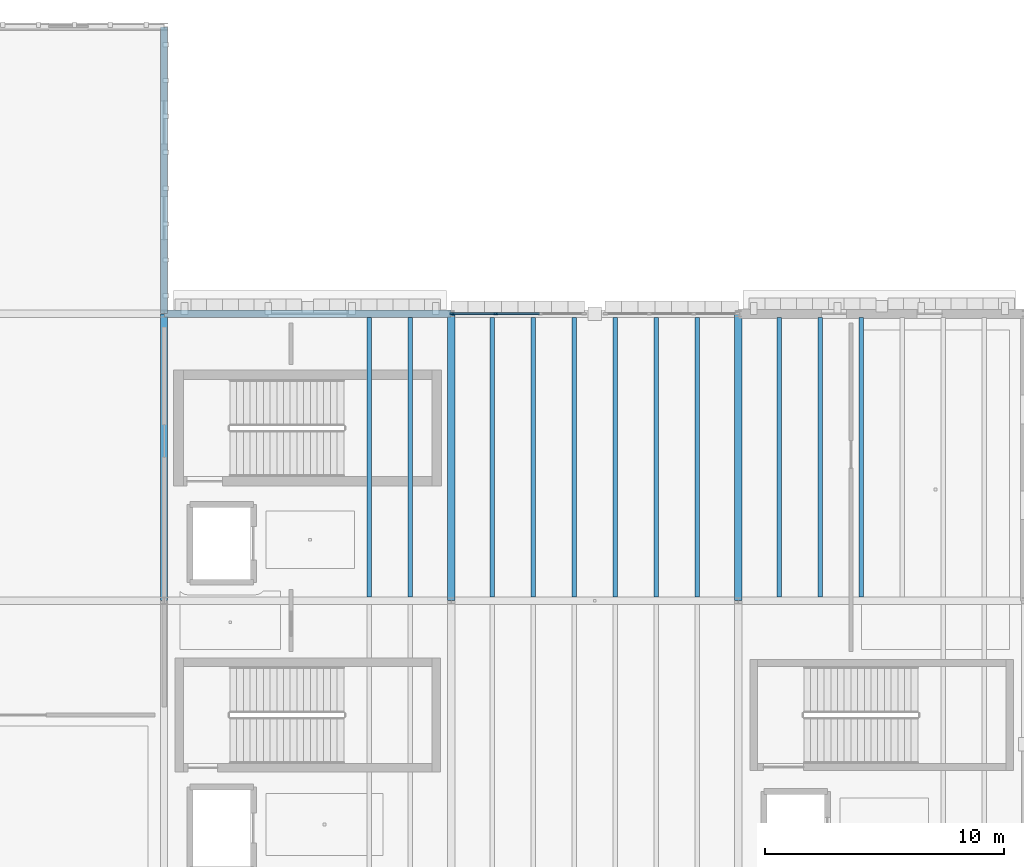
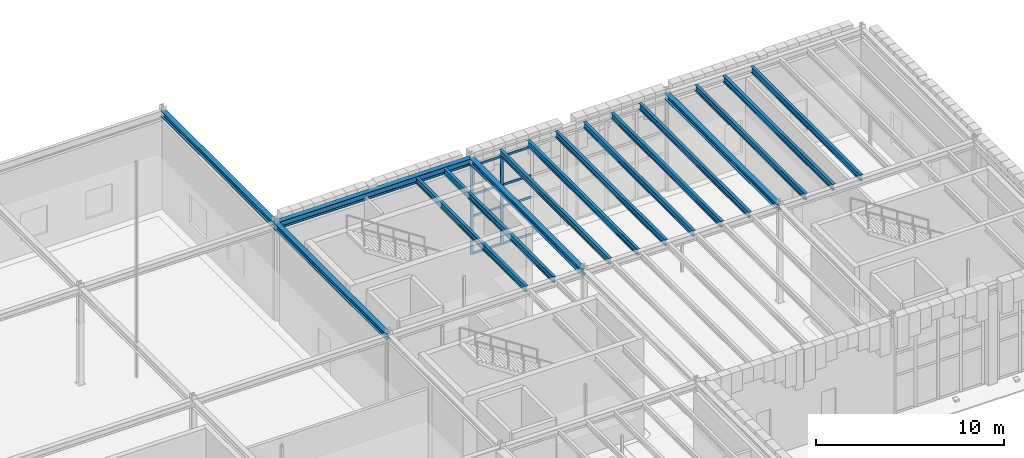
# One storey, part 28 of 62: 16 beams, 10 members, 1 element without a shape of its own.
"""IFC4 building model written with IfcOpenShell, lengths in metres."""

import ifcopenshell
import ifcopenshell.guid

model = None  # the IFC model being written
_history = None  # IfcOwnerHistory: only IFC2X3 demands one
_inside = {}  # id of a spatial element -> (the spatial element, [elements in it])
_under = {}  # id of a project, library or spatial element -> (it, [spatial elements below it])
_declared = {}  # id of a project -> (the project, [libraries it declares])
_typed = {}  # id of a type object -> (the type object, [elements of that type])
_made_of = {}  # id of a material, layer set ... -> (it, [elements and type objects made of it])


def new_model(schema):
    """Start an empty IFC model of exactly this schema.

    Asked for "IFC4X3", IfcOpenShell would pick the latest addendum, in which some entities
    have other attributes; the version numbers below select the first issue.
    IFC2X3 requires an IfcOwnerHistory on every rooted entity: one is made here for all.
    """
    global model, _history
    if schema == "IFC4X3":
        model = ifcopenshell.file(schema_version=(4, 3, 0, 0))
    else:
        model = ifcopenshell.file(schema=schema)
    _inside.clear()
    _under.clear()
    _declared.clear()
    _typed.clear()
    _made_of.clear()
    _history = None
    if model.schema == "IFC2X3":
        org = make("IfcOrganization", Name="unknown")
        user = make(
            "IfcPersonAndOrganization",
            ThePerson=make("IfcPerson", FamilyName="unknown"),
            TheOrganization=org,
        )
        app = make(
            "IfcApplication",
            ApplicationDeveloper=org,
            Version="unknown",
            ApplicationFullName="unknown",
            ApplicationIdentifier="unknown",
        )
        _history = make(
            "IfcOwnerHistory",
            OwningUser=user,
            OwningApplication=app,
            ChangeAction="ADDED",
            CreationDate=0,
        )
    return model


def make(cls, **values):
    """One entity of the class cls with the attributes given. An attribute that is None is left unset."""
    return model.create_entity(
        cls, **{name: value for name, value in values.items() if value is not None}
    )


def rooted(cls, **values):
    """An entity with a GlobalId (a new one), such as an element, a storey or a relation."""
    return make(cls, GlobalId=ifcopenshell.guid.new(), OwnerHistory=_history, **values)


def si_unit(unit_type, name, prefix=None):
    """IfcSIUnit, for example si_unit("LENGTHUNIT", "METRE", prefix="MILLI")."""
    return make("IfcSIUnit", UnitType=unit_type, Prefix=prefix, Name=name)


def assignment(units):
    """IfcUnitAssignment: the units of a project."""
    return None if units is None else make("IfcUnitAssignment", Units=units)


def point(xyz):
    """IfcCartesianPoint."""
    return None if xyz is None else make("IfcCartesianPoint", Coordinates=xyz)


def direction(xyz):
    """IfcDirection."""
    return None if xyz is None else make("IfcDirection", DirectionRatios=xyz)


def frame(location, z_axis=None, x_axis=None):
    """IfcAxis2Placement3D, a coordinate frame: its origin and axes. An axis left out is left unset."""
    return make(
        "IfcAxis2Placement3D",
        Location=point(location),
        Axis=direction(z_axis),
        RefDirection=direction(x_axis),
    )


def frame_2d(location, x_axis=None):
    """IfcAxis2Placement2D, a coordinate frame in the plane: its origin and x axis."""
    return make(
        "IfcAxis2Placement2D", Location=point(location), RefDirection=direction(x_axis)
    )


def origin():
    """The frame at (0, 0, 0) with its axes left unset."""
    return frame((0.0, 0.0, 0.0))


def origin_2d():
    """The frame at (0, 0) in the plane with its x axis left unset."""
    return frame_2d((0.0, 0.0))


def place(relative_to, where):
    """IfcLocalPlacement: puts the frame where relative to a parent placement (None: the world)."""
    return make(
        "IfcLocalPlacement", PlacementRelTo=relative_to, RelativePlacement=where
    )


def context(
    kind, dimensions, precision=None, world=None, true_north=None, identifier=None
):
    """IfcGeometricRepresentationContext, for example the 3D "Model" context."""
    return make(
        "IfcGeometricRepresentationContext",
        ContextIdentifier=identifier,
        ContextType=kind,
        CoordinateSpaceDimension=dimensions,
        Precision=precision,
        WorldCoordinateSystem=world,
        TrueNorth=true_north,
    )


def subcontext(parent, identifier, kind, view, scale=None):
    """IfcGeometricRepresentationSubContext, for example "Body" below "Model"."""
    return make(
        "IfcGeometricRepresentationSubContext",
        ContextIdentifier=identifier,
        ContextType=kind,
        ParentContext=parent,
        TargetScale=scale,
        TargetView=view,
    )


def project(units=None, contexts=None):
    """IfcProject with its units and contexts."""
    return rooted(
        "IfcProject",
        Name="project",
        RepresentationContexts=contexts,
        UnitsInContext=assignment(units),
    )


def spatial(cls, under=None, at=None, **own):
    """A site, building, storey or space (cls), placed at a placement, below another one or the project."""
    s = rooted(cls, ObjectPlacement=at, **own)
    if under is not None:
        _under.setdefault(under.id(), (under, []))[1].append(s)
    return s


def profile(cls, at=None, kind="AREA", **sizes):
    """A parametric profile (cls). Its sizes go by their IFC names, for example OverallWidth=200.0."""
    return make(cls, ProfileType=kind, Position=at, **sizes)


def rectangle(**sizes):
    """IfcRectangleProfileDef."""
    return profile("IfcRectangleProfileDef", **sizes)


def i_section(**sizes):
    """IfcIShapeProfileDef."""
    return profile("IfcIShapeProfileDef", **sizes)


def extrude(swept, where, along, depth):
    """IfcExtrudedAreaSolid: the profile swept, set in the frame where, extruded along a direction by depth."""
    return make(
        "IfcExtrudedAreaSolid",
        SweptArea=swept,
        Position=where,
        ExtrudedDirection=direction(along),
        Depth=depth,
    )


def shape(context_of_items, identifier, shape_type, items):
    """IfcShapeRepresentation: the items that make up one representation, for example the "Body"."""
    return make(
        "IfcShapeRepresentation",
        ContextOfItems=context_of_items,
        RepresentationIdentifier=identifier,
        RepresentationType=shape_type,
        Items=items,
    )


def material(Name=None, Category=None):
    """IfcMaterial."""
    return make("IfcMaterial", Name=Name, Category=Category)


def layer(
    of_material, thickness, ventilated=None, Name=None, Category=None, Priority=None
):
    """IfcMaterialLayer: one layer of a wall or slab, of a material (None: an air gap)."""
    return make(
        "IfcMaterialLayer",
        Material=of_material,
        LayerThickness=thickness,
        IsVentilated=ventilated,
        Name=Name,
        Category=Category,
        Priority=Priority,
    )


def layer_set(layers, Name=None):
    """IfcMaterialLayerSet."""
    return make("IfcMaterialLayerSet", MaterialLayers=layers, LayerSetName=Name)


def material_profile(
    of_material, cross_section, Name=None, Category=None, Priority=None
):
    """IfcMaterialProfile: a cross section and its material."""
    return make(
        "IfcMaterialProfile",
        Name=Name,
        Material=of_material,
        Profile=cross_section,
        Priority=Priority,
        Category=Category,
    )


def profile_set(profiles, Name=None, composite=None):
    """IfcMaterialProfileSet."""
    return make(
        "IfcMaterialProfileSet",
        Name=Name,
        MaterialProfiles=profiles,
        CompositeProfile=composite,
    )


def made_of(thing, what):
    """Note that an element or type object is made of a material, layer set ...; save() writes the relation."""
    if what is not None:
        _made_of.setdefault(what.id(), (what, []))[1].append(thing)
    return thing


def type_object(cls, material=None, **own):
    """A type object (cls), such as IfcWallType, which elements share."""
    return made_of(rooted(cls, **own), material)


def element(
    cls,
    number,
    at=None,
    inside=None,
    cuts=None,
    type_object=None,
    material=None,
    context=None,
    identifier="Body",
    shape_type=None,
    held_by="IfcProductDefinitionShape",
    body=None,
    shapes=None,
    **own,
):
    """One element of the class cls, such as IfcWall. Its Tag is "e" and its number.

    at: its placement. inside: the storey or other place that contains it. cuts: it is an
    opening in that element (IfcRelVoidsElement). A single representation is given by context,
    identifier, shape_type and body (its items); several are given by shapes. held_by: the class
    of the entity that holds the representations. save() writes the other relations.
    """
    e = rooted(cls, Tag="e%d" % number, ObjectPlacement=at, **own)
    if body is not None:
        shapes = [shape(context, identifier, shape_type, body)]
    if shapes is not None:
        e.Representation = make(held_by, Representations=shapes)
    if inside is not None:
        _inside.setdefault(inside.id(), (inside, []))[1].append(e)
    if cuts is not None:
        rooted(
            "IfcRelVoidsElement", RelatingBuildingElement=cuts, RelatedOpeningElement=e
        )
    if type_object is not None:
        _typed.setdefault(type_object.id(), (type_object, []))[1].append(e)
    return made_of(e, material)


def aggregate(whole, parts):
    """IfcRelAggregates: a whole, such as a stair, and the parts it consists of."""
    return rooted("IfcRelAggregates", RelatingObject=whole, RelatedObjects=parts)


def save(model, path):
    """Write the relations noted so far, then the file.

    IfcRelAggregates (storeys below a building ...), IfcRelContainedInSpatialStructure (elements
    in a storey), IfcRelDefinesByType, IfcRelAssociatesMaterial and IfcRelDeclares: one each for
    every whole, place, type object, material and project.
    """
    for whole, parts in _under.values():
        aggregate(whole, parts)
    for where, things in _inside.values():
        rooted(
            "IfcRelContainedInSpatialStructure",
            RelatedElements=things,
            RelatingStructure=where,
        )
    for kind, things in _typed.values():
        rooted("IfcRelDefinesByType", RelatedObjects=things, RelatingType=kind)
    for what, things in _made_of.values():
        rooted("IfcRelAssociatesMaterial", RelatedObjects=things, RelatingMaterial=what)
    for by, libraries in _declared.values():
        rooted("IfcRelDeclares", RelatingContext=by, RelatedDefinitions=libraries)
    model.write(path)


model = new_model("IFC4")

# Units and contexts
model_context = context("Model", 3, precision=1e-05, world=origin(), true_north=direction((0.0, 1.0)))
body_context = subcontext(model_context, "Body", "Model", "MODEL_VIEW")
ifc_project = project(units=[si_unit("LENGTHUNIT", "METRE"), si_unit("AREAUNIT", "SQUARE_METRE"), si_unit("VOLUMEUNIT", "CUBIC_METRE"), si_unit("PLANEANGLEUNIT", "RADIAN"), si_unit("MASSUNIT", "GRAM", prefix="KILO")], contexts=[model_context])

# Site, building, storey
site_placement = place(None, origin())
site = spatial("IfcSite", under=ifc_project, at=site_placement, CompositionType="ELEMENT")
building_placement = place(site_placement, origin())
building = spatial("IfcBuilding", under=site, at=building_placement, Name="Zlatogorsky Bluff Art Gallery", CompositionType="ELEMENT")
storey_placement = place(building_placement, frame((0.0, 0.0, 16.800048828125)))
storey = spatial("IfcBuildingStorey", under=building, at=storey_placement, Name="L03", CompositionType="ELEMENT", Elevation=16.800048828125)

# Beams
ifc_material_1 = material(Name="Steel S355", Category="steel")
ifc_material_profile_1 = material_profile(ifc_material_1, i_section(OverallWidth=0.300048828125, OverallDepth=0.43994140625, WebThickness=0.011474609375, FlangeThickness=0.02099609375, FilletRadius=0.027099609375, at=origin_2d()), Name="HEA 450")
ifc_profile_set_1 = profile_set([ifc_material_profile_1], Name="Steel S355")
beam_type_1 = type_object("IfcBeamType", Name="Beam BM-08 HEA 450", PredefinedType="BEAM", material=ifc_profile_set_1)
beam_placement = place(storey_placement, frame((120.014892578125, 108.0, 6.10986328125), z_axis=(1.0, 0.0, 0.0), x_axis=(0.0, 1.0, 0.0)))
element("IfcBeam", 1, at=beam_placement, inside=storey, type_object=beam_type_1, Name="Primary girder BM-08 L03 L-M/11", PredefinedType="BEAM", context=body_context, shape_type="SweptSolid", body=[
    extrude(i_section(OverallWidth=0.300048828125, OverallDepth=0.43994140625, WebThickness=0.011474609375, FlangeThickness=0.02099609375, FilletRadius=0.027099609375, at=origin_2d()), origin(), (0.0, 0.0, 1.0), 11.97021484375),
])
ifc_material_profile_2 = material_profile(ifc_material_1, i_section(OverallWidth=0.300048828125, OverallDepth=0.389892578125, WebThickness=0.010986328125, FlangeThickness=0.01904296875, FilletRadius=0.027099609375, at=origin_2d()), Name="HEA 400")
ifc_profile_set_2 = profile_set([ifc_material_profile_2], Name="Steel S355")
beam_type_2 = type_object("IfcBeamType", Name="Beam BM-09 HEA 400", PredefinedType="BEAM", material=ifc_profile_set_2)
for number, where, z_axis, x_axis, name in (
    (2, (120.0, 96.014892578125, 6.135009765625), (0.0, 1.0, 0.0), (-1.0, 0.0, 0.0), "Primary girder BM-09 L03 L/10-11"),
    (3, (120.0, 108.014892578125, 6.135009765625), (0.0, 1.0, 0.0), (-1.0, 0.0, 0.0), "Primary girder BM-09 L03 L/11-12"),
    (4, (132.0, 96.014892578125, 6.135009765625), (0.0, 1.0, 0.0), (-1.0, 0.0, 0.0), "Primary girder BM-09 L03 M/10-11"),
    (5, (144.0, 96.014892578125, 6.135009765625), (0.0, 1.0, 0.0), (-1.0, 0.0, 0.0), "Primary girder BM-09 L03 N/10-11"),
):
    element("IfcBeam", number, at=place(storey_placement, frame(where, z_axis=z_axis, x_axis=x_axis)), inside=storey, type_object=beam_type_2, Name=name, PredefinedType="BEAM", context=body_context, shape_type="SweptSolid", body=[
        extrude(i_section(OverallWidth=0.300048828125, OverallDepth=0.389892578125, WebThickness=0.010986328125, FlangeThickness=0.01904296875, FilletRadius=0.027099609375, at=origin_2d()), origin(), (0.0, 0.0, 1.0), 11.97021484375),
    ])
ifc_material_profile_3 = material_profile(ifc_material_1, i_section(OverallWidth=0.179931640625, OverallDepth=0.39990234375, WebThickness=0.008544921875, FlangeThickness=0.013427734375, FilletRadius=0.02099609375, at=origin_2d()), Name="IPE 400")
ifc_profile_set_3 = profile_set([ifc_material_profile_3], Name="Steel S355")
beam_type_3 = type_object("IfcBeamType", Name="Beam JS-05 IPE 400", PredefinedType="JOIST", material=ifc_profile_set_3)
for number, where, z_axis, x_axis, name in (
    (6, (128.571533203125, 96.14990234375, 6.1298828125), (0.0, 1.0, 0.0), (-1.0, 0.0, 0.0), "Composite floor joist JS-05 L03 10.09.5"),
    (7, (130.28564453125, 96.14990234375, 6.1298828125), (0.0, 1.0, 0.0), (-1.0, 0.0, 0.0), "Composite floor joist JS-05 L03 10.09.6"),
    (8, (133.71435546875, 96.14990234375, 6.1298828125), (0.0, 1.0, 0.0), (-1.0, 0.0, 0.0), "Composite floor joist JS-05 L03 11.09.1"),
    (9, (135.428466796875, 96.14990234375, 6.1298828125), (0.0, 1.0, 0.0), (-1.0, 0.0, 0.0), "Composite floor joist JS-05 L03 11.09.2"),
    (10, (137.142822265625, 96.14990234375, 6.1298828125), (0.0, 1.0, 0.0), (-1.0, 0.0, 0.0), "Composite floor joist JS-05 L03 11.09.3"),
    (11, (138.857177734375, 96.14990234375, 6.1298828125), (0.0, 1.0, 0.0), (-1.0, 0.0, 0.0), "Composite floor joist JS-05 L03 11.09.4"),
    (12, (140.571533203125, 96.14990234375, 6.1298828125), (0.0, 1.0, 0.0), (-1.0, 0.0, 0.0), "Composite floor joist JS-05 L03 11.09.5"),
    (13, (142.28564453125, 96.14990234375, 6.1298828125), (0.0, 1.0, 0.0), (-1.0, 0.0, 0.0), "Composite floor joist JS-05 L03 11.09.6"),
    (14, (145.71435546875, 96.14990234375, 6.1298828125), (0.0, 1.0, 0.0), (-1.0, 0.0, 0.0), "Composite floor joist JS-05 L03 12.09.1"),
    (15, (147.428466796875, 96.14990234375, 6.1298828125), (0.0, 1.0, 0.0), (-1.0, 0.0, 0.0), "Composite floor joist JS-05 L03 12.09.2"),
    (16, (149.142822265625, 96.14990234375, 6.1298828125), (0.0, 1.0, 0.0), (-1.0, 0.0, 0.0), "Composite floor joist JS-05 L03 12.09.3"),
):
    element("IfcBeam", number, at=place(storey_placement, frame(where, z_axis=z_axis, x_axis=x_axis)), inside=storey, type_object=beam_type_3, Name=name, PredefinedType="JOIST", context=body_context, shape_type="SweptSolid", body=[
        extrude(i_section(OverallWidth=0.179931640625, OverallDepth=0.39990234375, WebThickness=0.008544921875, FlangeThickness=0.013427734375, FilletRadius=0.02099609375, at=origin_2d()), origin(), (0.0, 0.0, 1.0), 11.7001953125),
    ])

# Curtain wall, members
ifc_material_2 = material(Name="Anodised Bronze Aluminium and Low-Iron Triple Glazing", Category="aluminium")
ifc_layer = layer(ifc_material_2, 0.219970703125)
ifc_layer_set = layer_set([ifc_layer], Name="Curtain Wall CW-04")
curtain_wall_type = type_object("IfcCurtainWallType", Name="Curtain Wall CW-04", PredefinedType="USERDEFINED", material=ifc_layer_set)
curtain_wall_placement = place(storey_placement, origin())
curtain_wall = element("IfcCurtainWall", 17, at=curtain_wall_placement, inside=storey, type_object=curtain_wall_type, Name="Unitised curtain wall CW-04 L03 N 11.9-B", ObjectType="CURTAIN WALL", PredefinedType="USERDEFINED")
ifc_material_3 = material(Name="Anodised Bronze Aluminium", Category="aluminium")
ifc_material_profile_4 = material_profile(ifc_material_3, rectangle(XDim=0.06494140625, YDim=0.179931640625, at=origin_2d()), Name="ALU MULLION 65x180")
ifc_profile_set_4 = profile_set([ifc_material_profile_4], Name="Anodised Bronze Aluminium")
member_type_1 = type_object("IfcMemberType", Name="Curtain Mullion ML-01", PredefinedType="MULLION", material=ifc_profile_set_4)
member_1_placement = place(storey_placement, frame((133.860107421875, 108.0, 0.0), z_axis=(0.0, 0.0, 1.0), x_axis=(0.0, -1.0, 0.0)))
member_1 = element("IfcMember", 18, at=member_1_placement, type_object=member_type_1, Name="CW-04 mullion 3", PredefinedType="MULLION", context=body_context, shape_type="SweptSolid", body=[
    extrude(rectangle(XDim=0.06494140625, YDim=0.179931640625, at=origin_2d()), origin(), (0.0, 0.0, 1.0), 5.75),
])
member_2_placement = place(storey_placement, frame((132.032470703125, 108.0, 0.0), z_axis=(0.0, 0.0, 1.0), x_axis=(0.0, -1.0, 0.0)))
member_2 = element("IfcMember", 19, at=member_2_placement, type_object=member_type_1, Name="CW-04 mullion 4", PredefinedType="MULLION", context=body_context, shape_type="SweptSolid", body=[
    extrude(rectangle(XDim=0.06494140625, YDim=0.179931640625, at=origin_2d()), origin(), (0.0, 0.0, 1.0), 5.75),
])
ifc_material_profile_5 = material_profile(ifc_material_3, rectangle(XDim=0.06494140625, YDim=0.139892578125, at=origin_2d()), Name="ALU TRANSOM 65x140")
ifc_profile_set_5 = profile_set([ifc_material_profile_5], Name="Anodised Bronze Aluminium")
member_type_2 = type_object("IfcMemberType", Name="Curtain Transom TR-01", PredefinedType="USERDEFINED", material=ifc_profile_set_5)
member_3_placement = place(storey_placement, frame((135.6875, 108.0, 0.032470703125), z_axis=(-1.0, 0.0, 0.0), x_axis=(0.0, -1.0, 0.0)))
member_3 = element("IfcMember", 20, at=member_3_placement, type_object=member_type_2, Name="CW-04 transom 2.1", ObjectType="TRANSOM", PredefinedType="USERDEFINED", context=body_context, shape_type="SweptSolid", body=[
    extrude(rectangle(XDim=0.06494140625, YDim=0.139892578125, at=origin_2d()), origin(), (0.0, 0.0, 1.0), 1.794921875),
])
member_4_placement = place(storey_placement, frame((135.6875, 108.0, 2.449951171875), z_axis=(-1.0, 0.0, 0.0), x_axis=(0.0, -1.0, 0.0)))
member_4 = element("IfcMember", 21, at=member_4_placement, type_object=member_type_2, Name="CW-04 transom 2.2", ObjectType="TRANSOM", PredefinedType="USERDEFINED", context=body_context, shape_type="SweptSolid", body=[
    extrude(rectangle(XDim=0.06494140625, YDim=0.139892578125, at=origin_2d()), origin(), (0.0, 0.0, 1.0), 1.794921875),
])
member_5_placement = place(storey_placement, frame((135.6875, 108.0, 3.849853515625), z_axis=(-1.0, 0.0, 0.0), x_axis=(0.0, -1.0, 0.0)))
member_5 = element("IfcMember", 22, at=member_5_placement, type_object=member_type_2, Name="CW-04 transom 2.3", ObjectType="TRANSOM", PredefinedType="USERDEFINED", context=body_context, shape_type="SweptSolid", body=[
    extrude(rectangle(XDim=0.06494140625, YDim=0.139892578125, at=origin_2d()), origin(), (0.0, 0.0, 1.0), 1.794921875),
])
member_6_placement = place(storey_placement, frame((135.6875, 108.0, 5.717529296875), z_axis=(-1.0, 0.0, 0.0), x_axis=(0.0, -1.0, 0.0)))
member_6 = element("IfcMember", 23, at=member_6_placement, type_object=member_type_2, Name="CW-04 transom 2.4", ObjectType="TRANSOM", PredefinedType="USERDEFINED", context=body_context, shape_type="SweptSolid", body=[
    extrude(rectangle(XDim=0.06494140625, YDim=0.139892578125, at=origin_2d()), origin(), (0.0, 0.0, 1.0), 1.794921875),
])
member_7_placement = place(storey_placement, frame((133.827392578125, 108.0, 0.032470703125), z_axis=(-1.0, 0.0, 0.0), x_axis=(0.0, -1.0, 0.0)))
member_7 = element("IfcMember", 24, at=member_7_placement, type_object=member_type_2, Name="CW-04 transom 3.1", ObjectType="TRANSOM", PredefinedType="USERDEFINED", context=body_context, shape_type="SweptSolid", body=[
    extrude(rectangle(XDim=0.06494140625, YDim=0.139892578125, at=origin_2d()), origin(), (0.0, 0.0, 1.0), 1.762451171875),
])
member_8_placement = place(storey_placement, frame((133.827392578125, 108.0, 2.449951171875), z_axis=(-1.0, 0.0, 0.0), x_axis=(0.0, -1.0, 0.0)))
member_8 = element("IfcMember", 25, at=member_8_placement, type_object=member_type_2, Name="CW-04 transom 3.2", ObjectType="TRANSOM", PredefinedType="USERDEFINED", context=body_context, shape_type="SweptSolid", body=[
    extrude(rectangle(XDim=0.06494140625, YDim=0.139892578125, at=origin_2d()), origin(), (0.0, 0.0, 1.0), 1.762451171875),
])
member_9_placement = place(storey_placement, frame((133.827392578125, 108.0, 3.849853515625), z_axis=(-1.0, 0.0, 0.0), x_axis=(0.0, -1.0, 0.0)))
member_9 = element("IfcMember", 26, at=member_9_placement, type_object=member_type_2, Name="CW-04 transom 3.3", ObjectType="TRANSOM", PredefinedType="USERDEFINED", context=body_context, shape_type="SweptSolid", body=[
    extrude(rectangle(XDim=0.06494140625, YDim=0.139892578125, at=origin_2d()), origin(), (0.0, 0.0, 1.0), 1.762451171875),
])
member_10_placement = place(storey_placement, frame((133.827392578125, 108.0, 5.717529296875), z_axis=(-1.0, 0.0, 0.0), x_axis=(0.0, -1.0, 0.0)))
member_10 = element("IfcMember", 27, at=member_10_placement, type_object=member_type_2, Name="CW-04 transom 3.4", ObjectType="TRANSOM", PredefinedType="USERDEFINED", context=body_context, shape_type="SweptSolid", body=[
    extrude(rectangle(XDim=0.06494140625, YDim=0.139892578125, at=origin_2d()), origin(), (0.0, 0.0, 1.0), 1.762451171875),
])
aggregate(curtain_wall, [member_1, member_2, member_3, member_4, member_5, member_6, member_7, member_8, member_9, member_10])

save(model, "model.ifc")
